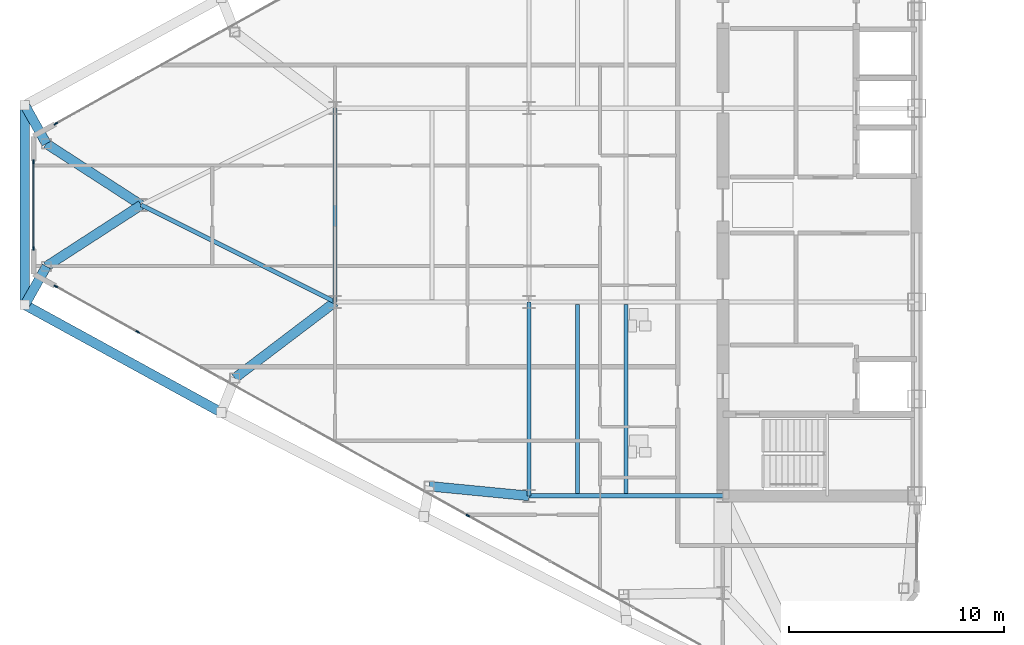
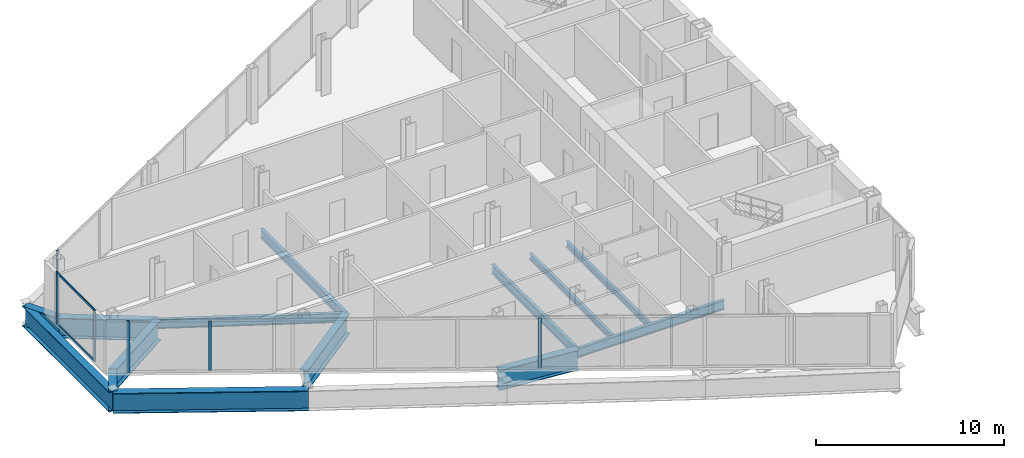
# One storey, part 5 of 28: 14 beams, 8 members, 3 elements without a shape of their own.
"""IFC4 building model written with IfcOpenShell, lengths in metres."""

from ifc_helpers import new_model, si_unit, direction, frame, origin, origin_2d, place, context, subcontext, project, spatial, rectangle, i_section, extrude, source, transform, mapped, material, layer, layer_set, material_profile, profile_set, type_object, type_shapes, element, aggregate, save


model = new_model("IFC4")

# Units and contexts
model_context = context("Model", 3, precision=1e-05, world=origin(), true_north=direction((0.0, 1.0)))
body_context = subcontext(model_context, "Body", "Model", "MODEL_VIEW")
ifc_project = project(units=[si_unit("LENGTHUNIT", "METRE"), si_unit("AREAUNIT", "SQUARE_METRE"), si_unit("VOLUMEUNIT", "CUBIC_METRE"), si_unit("PLANEANGLEUNIT", "RADIAN"), si_unit("MASSUNIT", "GRAM", prefix="KILO")], contexts=[model_context])

# Site, building, storey
site_placement = place(None, origin())
site = spatial("IfcSite", under=ifc_project, at=site_placement, CompositionType="ELEMENT")
building_placement = place(site_placement, origin())
building = spatial("IfcBuilding", under=site, at=building_placement, Name="Seokmaru Belvedere", CompositionType="ELEMENT")
storey_placement = place(building_placement, frame((0.0, 0.0, 158.39990234375)))
storey = spatial("IfcBuildingStorey", under=building, at=storey_placement, Name="L42", CompositionType="ELEMENT", Elevation=158.39990234375)

# Beams
ifc_material_1 = material(Name="Steel SM355 (355 MPa)", Category="steel")
ifc_material_profile_1 = material_profile(ifc_material_1, i_section(OverallWidth=0.199951171875, OverallDepth=0.60009765625, WebThickness=0.010986328125, FlangeThickness=0.01708984375, at=origin_2d()), Name="H-600x200x11x17")
ifc_profile_set_1 = profile_set([ifc_material_profile_1], Name="Steel SM355 (355 MPa)")
beam_type_1 = type_object("IfcBeamType", Name="Primary Floor Girder H-600", PredefinedType="BEAM", material=ifc_profile_set_1)
shared_shape_1 = source(origin(), body_context, "Body", "SweptSolid", [
    extrude(i_section(OverallWidth=0.199951171875, OverallDepth=0.60009765625, WebThickness=0.010986328125, FlangeThickness=0.01708984375, at=origin_2d()), origin(), (0.0, 0.0, 1.0), 9.0),
])
for number, where, z_axis, x_axis, name in (
    (1, (-45.5, -13.5, -0.52001953125), (0.0, 1.0, 0.0), (-1.0, 0.0, 0.0), "L42 W Interior Grid Girder 1"),
    (2, (-45.5, -13.5, -0.52001953125), (1.0, 0.0, 0.0), (0.0, 1.0, 0.0), "L42 W Wing Primary Girder 1"),
    (3, (-54.5, -4.5, -0.52001953125), (0.0, 1.0, 0.0), (-1.0, 0.0, 0.0), "L42 W Apex Frame Girder"),
):
    element("IfcBeam", number, at=place(storey_placement, frame(where, z_axis=z_axis, x_axis=x_axis)), inside=storey, type_object=beam_type_1, Name=name, PredefinedType="BEAM", context=body_context, shape_type="MappedRepresentation", body=[
        mapped(shared_shape_1, transform((0.0, 0.0, 0.0), scale=1.0)),
    ])
shared_shape_2 = source(origin(), body_context, "Body", "SweptSolid", [
    extrude(i_section(OverallWidth=0.199951171875, OverallDepth=0.60009765625, WebThickness=0.010986328125, FlangeThickness=0.01708984375, at=origin_2d()), origin(), (0.0, 0.0, 1.0), 10.062255859375),
])
type_shapes(beam_type_1, [shared_shape_1, shared_shape_2])
beam_1_placement = place(storey_placement, frame((-54.5, -4.5, -0.52001953125), z_axis=(-0.894427191, 0.4472135955, 0.0), x_axis=(-0.4472135955, -0.894427191, 0.0)))
element("IfcBeam", 4, at=beam_1_placement, inside=storey, type_object=beam_type_1, Name="L42 W Apex Converging Girder 1", PredefinedType="BEAM", context=body_context, shape_type="MappedRepresentation", body=[
    mapped(shared_shape_2, transform((0.0, 0.0, 0.0), scale=1.0)),
])
ifc_material_profile_2 = material_profile(ifc_material_1, i_section(OverallWidth=0.18505859375, OverallDepth=0.389892578125, WebThickness=0.008056640625, FlangeThickness=0.011962890625, at=origin_2d()), Name="H-390x185x8x12")
ifc_profile_set_2 = profile_set([ifc_material_profile_2], Name="Steel SM355 (355 MPa)")
beam_type_2 = type_object("IfcBeamType", Name="Secondary Floor Joist H-350", PredefinedType="JOIST", material=ifc_profile_set_2)
shared_shape_3 = source(origin(), body_context, "Body", "SweptSolid", [
    extrude(i_section(OverallWidth=0.18505859375, OverallDepth=0.389892578125, WebThickness=0.008056640625, FlangeThickness=0.011962890625, at=origin_2d()), origin(), (0.0, 0.0, 1.0), 8.7900390625),
])
type_shapes(beam_type_2, [shared_shape_3])
for number, where, z_axis, x_axis, name in (
    (5, (-43.25, -13.39501953125, -0.414794921875), (0.0, 1.0, 0.0), (-1.0, 0.0, 0.0), "L42 W Wing Inner Secondary Joist 1"),
    (6, (-41.0, -13.39501953125, -0.414794921875), (0.0, 1.0, 0.0), (-1.0, 0.0, 0.0), "L42 W Secondary Floor Joist 1"),
):
    element("IfcBeam", number, at=place(storey_placement, frame(where, z_axis=z_axis, x_axis=x_axis)), inside=storey, type_object=beam_type_2, Name=name, PredefinedType="JOIST", context=body_context, shape_type="MappedRepresentation", body=[
        mapped(shared_shape_3, transform((0.0, 0.0, 0.0), scale=1.0)),
    ])
ifc_material_2 = material(Name="Steel HSA650 (650 MPa)", Category="steel")
ifc_material_profile_3 = material_profile(ifc_material_2, i_section(OverallWidth=0.449951171875, OverallDepth=1.300048828125, WebThickness=0.02197265625, FlangeThickness=0.0380859375, at=origin_2d()), Name="BH-1300x450x22x38")
ifc_profile_set_3 = profile_set([ifc_material_profile_3], Name="Steel HSA650 (650 MPa)")
beam_type_3 = type_object("IfcBeamType", Name="Observatory Long-Span Roof Girder BH-1300", PredefinedType="BEAM", material=ifc_profile_set_3)
shared_shape_4 = source(origin(), body_context, "Body", "SweptSolid", [
    extrude(i_section(OverallWidth=0.449951171875, OverallDepth=1.300048828125, WebThickness=0.02197265625, FlangeThickness=0.0380859375, at=origin_2d()), origin(), (0.0, 0.0, 1.0), 10.399658203125),
])
beam_2_placement = place(storey_placement, frame((-59.778564453125, -9.62890625, -0.869873046875), z_axis=(-0.877082374422, 0.480339992587, 0.0), x_axis=(-0.480339992587, -0.877082374422, 0.0)))
element("IfcBeam", 7, at=beam_2_placement, inside=storey, type_object=beam_type_3, Name="L42 W Faceted Flank Spandrel S-4", PredefinedType="BEAM", context=body_context, shape_type="MappedRepresentation", body=[
    mapped(shared_shape_4, transform((0.0, 0.0, 0.0), scale=1.0)),
])
shared_shape_5 = source(origin(), body_context, "Body", "SweptSolid", [
    extrude(i_section(OverallWidth=0.449951171875, OverallDepth=1.300048828125, WebThickness=0.02197265625, FlangeThickness=0.0380859375, at=origin_2d()), origin(), (0.0, 0.0, 1.0), 9.26708984375),
])
beam_3_placement = place(storey_placement, frame((-68.89990234375, -4.633544921875, -0.869873046875), z_axis=(0.0, 1.0, 0.0), x_axis=(-1.0, 0.0, 0.0)))
element("IfcBeam", 8, at=beam_3_placement, inside=storey, type_object=beam_type_3, Name="L42 W Faceted Apex Spandrel", PredefinedType="BEAM", context=body_context, shape_type="MappedRepresentation", body=[
    mapped(shared_shape_5, transform((0.0, 0.0, 0.0), scale=1.0)),
])
shared_shape_6 = source(origin(), body_context, "Body", "SweptSolid", [
    extrude(i_section(OverallWidth=0.449951171875, OverallDepth=1.300048828125, WebThickness=0.02197265625, FlangeThickness=0.0380859375, at=origin_2d()), origin(), (0.0, 0.0, 1.0), 2.047119140625),
])
for number, where, z_axis, x_axis, name in (
    (9, (-68.89990234375, 4.633544921875, -0.869873046875), (0.488465370703, -0.872583280624, 0.0), (0.872583280624, 0.488465370703, 0.0), "L42 W Setback Transfer Girder 4"),
    (10, (-68.89990234375, -4.633544921875, -0.869873046875), (0.488465370703, 0.872583280624, 0.0), (-0.872583280624, 0.488465370703, 0.0), "L42 W Setback Transfer Girder 5"),
):
    element("IfcBeam", number, at=place(storey_placement, frame(where, z_axis=z_axis, x_axis=x_axis)), inside=storey, type_object=beam_type_3, Name=name, PredefinedType="BEAM", context=body_context, shape_type="MappedRepresentation", body=[
        mapped(shared_shape_6, transform((0.0, 0.0, 0.0), scale=1.0)),
    ])
shared_shape_7 = source(origin(), body_context, "Body", "SweptSolid", [
    extrude(i_section(OverallWidth=0.449951171875, OverallDepth=1.300048828125, WebThickness=0.02197265625, FlangeThickness=0.0380859375, at=origin_2d()), origin(), (0.0, 0.0, 1.0), 5.24072265625),
])
for number, where, z_axis, x_axis, name in (
    (11, (-67.89990234375, 2.84716796875, -0.869873046875), (0.839555158729, -0.543274456836, 0.0), (0.543274456836, 0.839555158729, 0.0), "L42 W Apex Sanity Tie Girder 4"),
    (12, (-67.89990234375, -2.84716796875, -0.869873046875), (0.839555158729, 0.543274456836, 0.0), (-0.543274456836, 0.839555158729, 0.0), "L42 W Apex Sanity Tie Girder 5"),
):
    element("IfcBeam", number, at=place(storey_placement, frame(where, z_axis=z_axis, x_axis=x_axis)), inside=storey, type_object=beam_type_3, Name=name, PredefinedType="BEAM", context=body_context, shape_type="MappedRepresentation", body=[
        mapped(shared_shape_7, transform((0.0, 0.0, 0.0), scale=1.0)),
    ])
shared_shape_8 = source(origin(), body_context, "Body", "SweptSolid", [
    extrude(i_section(OverallWidth=0.449951171875, OverallDepth=1.300048828125, WebThickness=0.02197265625, FlangeThickness=0.0380859375, at=origin_2d()), origin(), (0.0, 0.0, 1.0), 4.65087890625),
])
beam_4_placement = place(storey_placement, frame((-50.129150390625, -13.051025390625, -0.869873046875), z_axis=(0.995329534874, -0.09653557379, 0.0), x_axis=(0.09653557379, 0.995329534874, 0.0)))
element("IfcBeam", 13, at=beam_4_placement, inside=storey, type_object=beam_type_3, Name="L42 W Flank Setback Back-Span Girder S-2", PredefinedType="BEAM", context=body_context, shape_type="MappedRepresentation", body=[
    mapped(shared_shape_8, transform((0.0, 0.0, 0.0), scale=1.0)),
])
shared_shape_9 = source(origin(), body_context, "Body", "SweptSolid", [
    extrude(i_section(OverallWidth=0.449951171875, OverallDepth=1.300048828125, WebThickness=0.02197265625, FlangeThickness=0.0380859375, at=origin_2d()), origin(), (0.0, 0.0, 1.0), 5.842529296875),
])
type_shapes(beam_type_3, [shared_shape_4, shared_shape_5, shared_shape_6, shared_shape_7, shared_shape_8, shared_shape_9])
beam_5_placement = place(storey_placement, frame((-59.154541015625, -8.031494140625, -0.869873046875), z_axis=(0.796653109879, 0.604436781243, 0.0), x_axis=(-0.604436781243, 0.796653109879, 0.0)))
element("IfcBeam", 14, at=beam_5_placement, inside=storey, type_object=beam_type_3, Name="L42 W Flank Setback Back-Span Girder S-3", PredefinedType="BEAM", context=body_context, shape_type="MappedRepresentation", body=[
    mapped(shared_shape_9, transform((0.0, 0.0, 0.0), scale=1.0)),
])

# Curtain wall, member
ifc_material_3 = material(Name="Bronze Triple Insulating Glass", Category="glass")
ifc_layer = layer(ifc_material_3, 0.179931640625)
ifc_layer_set = layer_set([ifc_layer], Name="Bronze Triple Insulating Glass")
curtain_wall_type = type_object("IfcCurtainWallType", Name="High-Rise Wind-Corner Curtain Wall System CW-5", PredefinedType="NOTDEFINED", material=ifc_layer_set)
curtain_wall_1_placement = place(storey_placement, origin())
curtain_wall_1 = element("IfcCurtainWall", 15, at=curtain_wall_1_placement, inside=storey, type_object=curtain_wall_type, Name="L42 Curtain Wall WF3", PredefinedType="NOTDEFINED")
ifc_material_4 = material(Name="Anodised Bronze Aluminium", Category="aluminium")
ifc_material_profile_4 = material_profile(ifc_material_4, rectangle(XDim=0.06494140625, YDim=0.179931640625, at=origin_2d()), Name="CW-M-65x180")
ifc_profile_set_4 = profile_set([ifc_material_profile_4], Name="Anodised Bronze Aluminium")
member_type_1 = type_object("IfcMemberType", Name="Bronze Unitised Mullion 65x180", PredefinedType="MULLION", material=ifc_profile_set_4)
shared_shape_10 = source(origin(), body_context, "Body", "SweptSolid", [
    extrude(rectangle(XDim=0.06494140625, YDim=0.179931640625, at=origin_2d()), origin(), (0.0, 0.0, 1.0), 3.340087890625),
])
member_1_placement = place(storey_placement, frame((-67.466552734375, 3.77490234375, 0.0), z_axis=(0.0, 0.0, 1.0), x_axis=(0.486047125147, -0.873932601598, 0.0)))
member_1 = element("IfcMember", 16, at=member_1_placement, type_object=member_type_1, Name="CW:L42:WF3 Mullion 10", PredefinedType="MULLION", context=body_context, shape_type="MappedRepresentation", body=[
    mapped(shared_shape_10, transform((0.0, 0.0, 0.0), scale=1.0)),
])
aggregate(curtain_wall_1, [member_1])

# Curtain wall, members
curtain_wall_2_placement = place(storey_placement, origin())
curtain_wall_2 = element("IfcCurtainWall", 17, at=curtain_wall_2_placement, inside=storey, type_object=curtain_wall_type, Name="L42 Curtain Wall WF4", PredefinedType="NOTDEFINED")
member_2_placement = place(storey_placement, frame((-68.5, 2.017578125, 0.0), z_axis=(0.0, 0.0, 1.0), x_axis=(1.0, 0.0, 0.0)))
member_2 = element("IfcMember", 18, at=member_2_placement, type_object=member_type_1, Name="CW:L42:WF4 Mullion 1", PredefinedType="MULLION", context=body_context, shape_type="MappedRepresentation", body=[
    mapped(shared_shape_10, transform((0.0, 0.0, 0.0), scale=1.0)),
])
member_3_placement = place(storey_placement, frame((-68.5, -2.017578125, 0.0), z_axis=(0.0, 0.0, 1.0), x_axis=(1.0, 0.0, 0.0)))
member_3 = element("IfcMember", 19, at=member_3_placement, type_object=member_type_1, Name="CW:L42:WF4 Mullion 2", PredefinedType="MULLION", context=body_context, shape_type="MappedRepresentation", body=[
    mapped(shared_shape_10, transform((0.0, 0.0, 0.0), scale=1.0)),
])

curtain_wall_3_placement = place(storey_placement, origin())
curtain_wall_3 = element("IfcCurtainWall", 20, at=curtain_wall_3_placement, inside=storey, type_object=curtain_wall_type, Name="L42 Curtain Wall WF5", PredefinedType="NOTDEFINED")
member_4_placement = place(storey_placement, frame((-67.466552734375, -3.77490234375, 0.0), z_axis=(0.0, 0.0, 1.0), x_axis=(0.486047125147, 0.873932601598, 0.0)))
member_4 = element("IfcMember", 21, at=member_4_placement, type_object=member_type_1, Name="CW:L42:WF5 Mullion 1", PredefinedType="MULLION", context=body_context, shape_type="MappedRepresentation", body=[
    mapped(shared_shape_10, transform((0.0, 0.0, 0.0), scale=1.0)),
])
shared_shape_11 = source(origin(), body_context, "Body", "SweptSolid", [
    extrude(rectangle(XDim=0.06494140625, YDim=0.179931640625, at=origin_2d()), origin(), (0.0, 0.0, 1.0), 3.2099609375),
])
type_shapes(member_type_1, [shared_shape_10, shared_shape_11])
member_5_placement = place(storey_placement, frame((-63.662841796875, -5.890380859375, 0.065185546875), z_axis=(0.0, 0.0, 1.0), x_axis=(0.486047125147, 0.873932601598, 0.0)))
member_5 = element("IfcMember", 22, at=member_5_placement, type_object=member_type_1, Name="CW:L42:WF5 Mullion 2", PredefinedType="MULLION", context=body_context, shape_type="MappedRepresentation", body=[
    mapped(shared_shape_11, transform((0.0, 0.0, 0.0), scale=1.0)),
])
member_6_placement = place(storey_placement, frame((-48.333984375, -14.415771484375, 0.065185546875), z_axis=(0.0, 0.0, 1.0), x_axis=(0.486047125147, 0.873932601598, 0.0)))
member_6 = element("IfcMember", 23, at=member_6_placement, type_object=member_type_1, Name="CW:L42:WF5 Mullion 6", PredefinedType="MULLION", context=body_context, shape_type="MappedRepresentation", body=[
    mapped(shared_shape_11, transform((0.0, 0.0, 0.0), scale=1.0)),
])
aggregate(curtain_wall_3, [member_4, member_5, member_6])

# Member
ifc_material_profile_5 = material_profile(ifc_material_4, rectangle(XDim=0.06494140625, YDim=0.14990234375, at=origin_2d()), Name="CW-T-65x150")
ifc_profile_set_5 = profile_set([ifc_material_profile_5], Name="Anodised Bronze Aluminium")
member_type_2 = type_object("IfcMemberType", Name="Bronze Unitised Transom 65x150", PredefinedType="USERDEFINED", material=ifc_profile_set_5)
shared_shape_12 = source(origin(), body_context, "Body", "SweptSolid", [
    extrude(rectangle(XDim=0.06494140625, YDim=0.14990234375, at=origin_2d()), origin(), (0.0, 0.0, 1.0), 3.97021484375),
])
type_shapes(member_type_2, [shared_shape_12])
member_7_placement = place(storey_placement, frame((-68.5, 1.985107421875, 0.03271484375), z_axis=(0.0, -1.0, 0.0), x_axis=(1.0, 0.0, 0.0)))
member_7 = element("IfcMember", 24, at=member_7_placement, type_object=member_type_2, Name="CW:L42:WF4 Continuous Transom 1", ObjectType="TRANSOM", PredefinedType="USERDEFINED", context=body_context, shape_type="MappedRepresentation", body=[
    mapped(shared_shape_12, transform((0.0, 0.0, 0.0), scale=1.0)),
])

member_8_placement = place(storey_placement, frame((-68.5, 1.985107421875, 3.3076171875), z_axis=(0.0, -1.0, 0.0), x_axis=(1.0, 0.0, 0.0)))
member_8 = element("IfcMember", 25, at=member_8_placement, type_object=member_type_2, Name="CW:L42:WF4 Continuous Transom 2", ObjectType="TRANSOM", PredefinedType="USERDEFINED", context=body_context, shape_type="MappedRepresentation", body=[
    mapped(shared_shape_12, transform((0.0, 0.0, 0.0), scale=1.0)),
])

aggregate(curtain_wall_2, [member_2, member_3, member_7, member_8])

save(model, "model.ifc")
